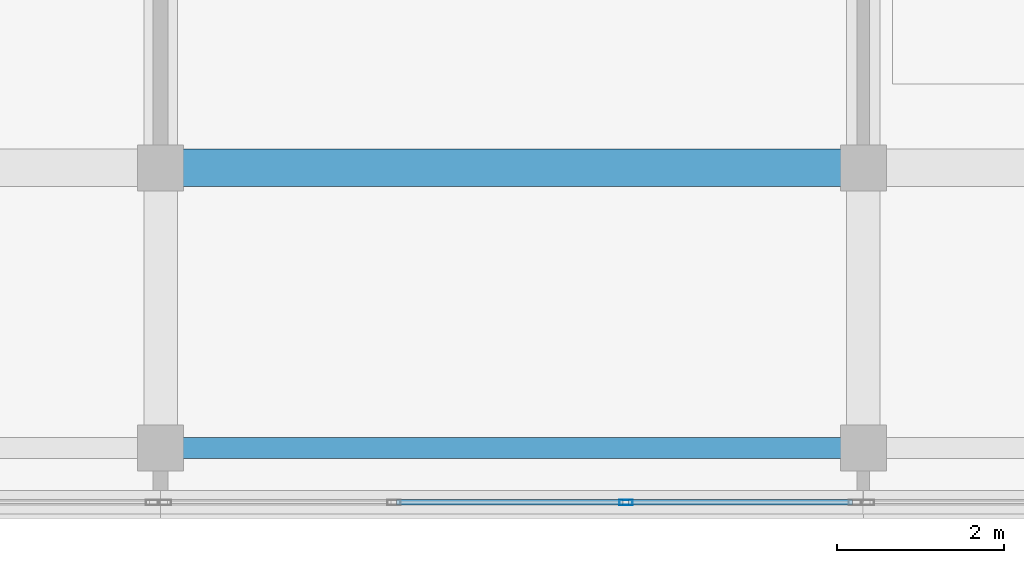
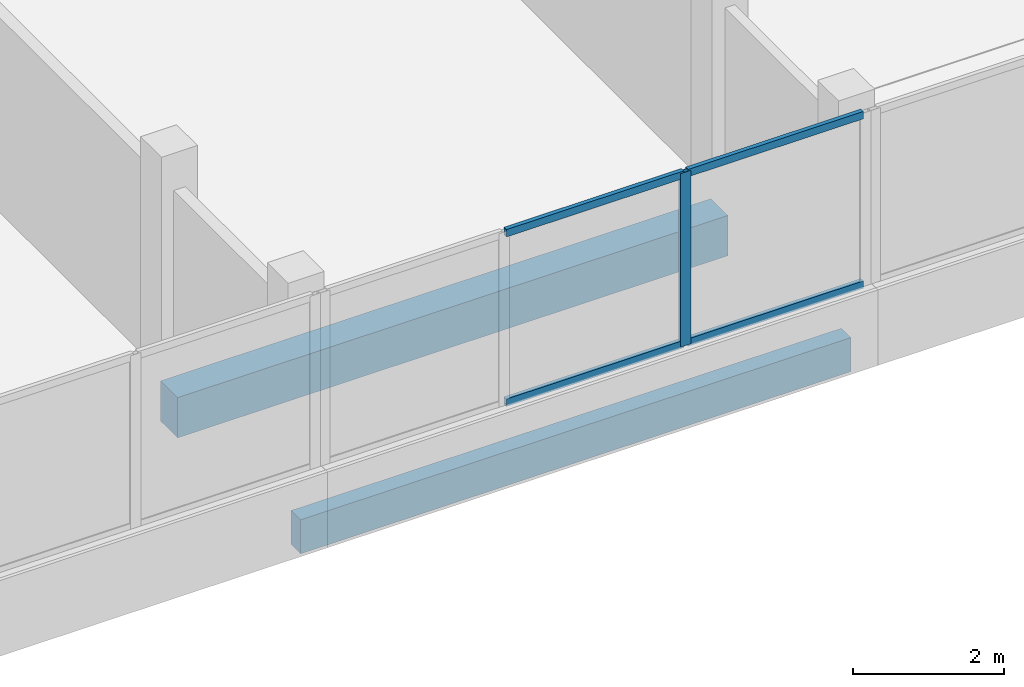
# One storey, part 32 of 67: 5 members, 2 beams, 1 element without a shape of its own.
"""IFC4 building model written with IfcOpenShell, lengths in metres."""

from ifc_helpers import new_model, si_unit, direction, frame, origin, origin_2d, place, context, subcontext, project, spatial, rectangle, hollow_rectangle, extrude, material, material_profile, profile_set, type_object, element, aggregate, save


model = new_model("IFC4")

# Units and contexts
model_context = context("Model", 3, precision=1e-05, world=origin(), true_north=direction((0.0, 1.0)))
body_context = subcontext(model_context, "Body", "Model", "MODEL_VIEW")
ifc_project = project(units=[si_unit("LENGTHUNIT", "METRE"), si_unit("AREAUNIT", "SQUARE_METRE"), si_unit("VOLUMEUNIT", "CUBIC_METRE"), si_unit("PLANEANGLEUNIT", "RADIAN"), si_unit("MASSUNIT", "GRAM", prefix="KILO")], contexts=[model_context])

# Site, building, storey
site_placement = place(None, origin())
site = spatial("IfcSite", under=ifc_project, at=site_placement, CompositionType="ELEMENT")
building_placement = place(site_placement, origin())
building = spatial("IfcBuilding", under=site, at=building_placement, Name="Selatvlak General Hospital", CompositionType="ELEMENT")
storey_placement = place(building_placement, frame((0.0, 0.0, 35.39990234375)))
storey = spatial("IfcBuildingStorey", under=building, at=storey_placement, Name="L08", CompositionType="ELEMENT", Elevation=35.39990234375)

# Beams
ifc_material_1 = material(Name="Concrete C40/50", Category="concrete")
ifc_material_profile_1 = material_profile(ifc_material_1, rectangle(XDim=0.449951171875, YDim=0.64990234375, at=origin_2d()), Name="RC-BM 450x650")
ifc_profile_set_1 = profile_set([ifc_material_profile_1], Name="Concrete C40/50")
beam_type_1 = type_object("IfcBeamType", Name="BM-G04", PredefinedType="BEAM", material=ifc_profile_set_1)
beam_1_placement = place(storey_placement, frame((115.199951171875, 92.0, -0.58984375), z_axis=(1.0, 0.0, 0.0), x_axis=(0.0, 1.0, 0.0)))
element("IfcBeam", 1, at=beam_1_placement, inside=storey, type_object=beam_type_1, Name="Beam BMR-L08-2579", PredefinedType="BEAM", context=body_context, shape_type="SweptSolid", body=[
    extrude(rectangle(XDim=0.449951171875, YDim=0.64990234375, at=origin_2d()), origin(), (0.0, 0.0, 1.0), 8.400146484375),
])
ifc_material_profile_2 = material_profile(ifc_material_1, rectangle(XDim=0.25, YDim=0.550048828125, at=origin_2d()), Name="RC-SP 250x550")
ifc_profile_set_2 = profile_set([ifc_material_profile_2], Name="Concrete C40/50")
beam_type_2 = type_object("IfcBeamType", Name="BM-SP2", PredefinedType="SPANDREL", material=ifc_profile_set_2)
beam_2_placement = place(storey_placement, frame((115.199951171875, 88.64990234375, -0.539794921875), z_axis=(1.0, 0.0, 0.0), x_axis=(0.0, 1.0, 0.0)))
element("IfcBeam", 2, at=beam_2_placement, inside=storey, type_object=beam_type_2, Name="Beam BMR-L08-2562", PredefinedType="SPANDREL", context=body_context, shape_type="SweptSolid", body=[
    extrude(rectangle(XDim=0.25, YDim=0.550048828125, at=origin_2d()), origin(), (0.0, 0.0, 1.0), 8.400146484375),
])

# Curtain wall, members
ifc_material_2 = material(Name="Solar-control Low-E double glazing", Category="glass")
curtain_wall_type = type_object("IfcCurtainWallType", Name="CW-CW-02", PredefinedType="USERDEFINED", material=ifc_material_2)
curtain_wall_placement = place(storey_placement, origin())
curtain_wall = element("IfcCurtainWall", 3, at=curtain_wall_placement, inside=storey, type_object=curtain_wall_type, Name="Glazed facade curtain wall CW-L08-0705", ObjectType="UNITISED CURTAIN WALL", PredefinedType="USERDEFINED")
ifc_material_3 = material(Name="Dark anodised aluminium mullion", Category="aluminium")
ifc_material_profile_3 = material_profile(ifc_material_3, hollow_rectangle(XDim=0.06494140625, YDim=0.159912109375, WallThickness=0.00390625, at=origin_2d()), Name="AL-MUL 65x160x4")
ifc_profile_set_3 = profile_set([ifc_material_profile_3], Name="Dark anodised aluminium mullion")
member_type_1 = type_object("IfcMemberType", Name="CWM-01", PredefinedType="MULLION", material=ifc_profile_set_3)
member_1_placement = place(storey_placement, frame((120.76171875, 88.0009765625, 0.940185546875), z_axis=(0.0, 0.0, 1.0), x_axis=(0.0, -1.0, 0.0)))
member_1 = element("IfcMember", 4, at=member_1_placement, type_object=member_type_1, Name="CW-02 mullion 2", PredefinedType="MULLION", context=body_context, shape_type="SweptSolid", body=[
    extrude(hollow_rectangle(XDim=0.06494140625, YDim=0.159912109375, WallThickness=0.00390625, at=origin_2d()), origin(), (0.0, 0.0, 1.0), 2.7998046875),
])
ifc_material_profile_4 = material_profile(ifc_material_3, hollow_rectangle(XDim=0.06494140625, YDim=0.1201171875, WallThickness=0.00390625, at=origin_2d()), Name="AL-TRN 65x120x4")
ifc_profile_set_4 = profile_set([ifc_material_profile_4], Name="Dark anodised aluminium mullion")
member_type_2 = type_object("IfcMemberType", Name="CWT-01", PredefinedType="USERDEFINED", material=ifc_profile_set_4)
member_2_placement = place(storey_placement, frame((123.469970703125, 88.0009765625, 0.97265625), z_axis=(-1.0, 0.0, 0.0), x_axis=(0.0, -1.0, 0.0)))
member_2 = element("IfcMember", 5, at=member_2_placement, type_object=member_type_2, Name="CW-02 transom 1.1", ObjectType="TRANSOM", PredefinedType="USERDEFINED", context=body_context, shape_type="SweptSolid", body=[
    extrude(hollow_rectangle(XDim=0.06494140625, YDim=0.1201171875, WallThickness=0.00390625, at=origin_2d()), origin(), (0.0, 0.0, 1.0), 2.67578125),
])
member_3_placement = place(storey_placement, frame((123.469970703125, 88.0009765625, 3.70751953125), z_axis=(-1.0, 0.0, 0.0), x_axis=(0.0, -1.0, 0.0)))
member_3 = element("IfcMember", 6, at=member_3_placement, type_object=member_type_2, Name="CW-02 transom 1.2", ObjectType="TRANSOM", PredefinedType="USERDEFINED", context=body_context, shape_type="SweptSolid", body=[
    extrude(hollow_rectangle(XDim=0.06494140625, YDim=0.1201171875, WallThickness=0.00390625, at=origin_2d()), origin(), (0.0, 0.0, 1.0), 2.67578125),
])
member_4_placement = place(storey_placement, frame((120.729248046875, 88.0009765625, 0.97265625), z_axis=(-1.0, 0.0, 0.0), x_axis=(0.0, -1.0, 0.0)))
member_4 = element("IfcMember", 7, at=member_4_placement, type_object=member_type_2, Name="CW-02 transom 2.1", ObjectType="TRANSOM", PredefinedType="USERDEFINED", context=body_context, shape_type="SweptSolid", body=[
    extrude(hollow_rectangle(XDim=0.06494140625, YDim=0.1201171875, WallThickness=0.00390625, at=origin_2d()), origin(), (0.0, 0.0, 1.0), 2.70849609375),
])
member_5_placement = place(storey_placement, frame((120.729248046875, 88.0009765625, 3.70751953125), z_axis=(-1.0, 0.0, 0.0), x_axis=(0.0, -1.0, 0.0)))
member_5 = element("IfcMember", 8, at=member_5_placement, type_object=member_type_2, Name="CW-02 transom 2.2", ObjectType="TRANSOM", PredefinedType="USERDEFINED", context=body_context, shape_type="SweptSolid", body=[
    extrude(hollow_rectangle(XDim=0.06494140625, YDim=0.1201171875, WallThickness=0.00390625, at=origin_2d()), origin(), (0.0, 0.0, 1.0), 2.70849609375),
])
aggregate(curtain_wall, [member_1, member_2, member_3, member_4, member_5])

save(model, "model.ifc")
